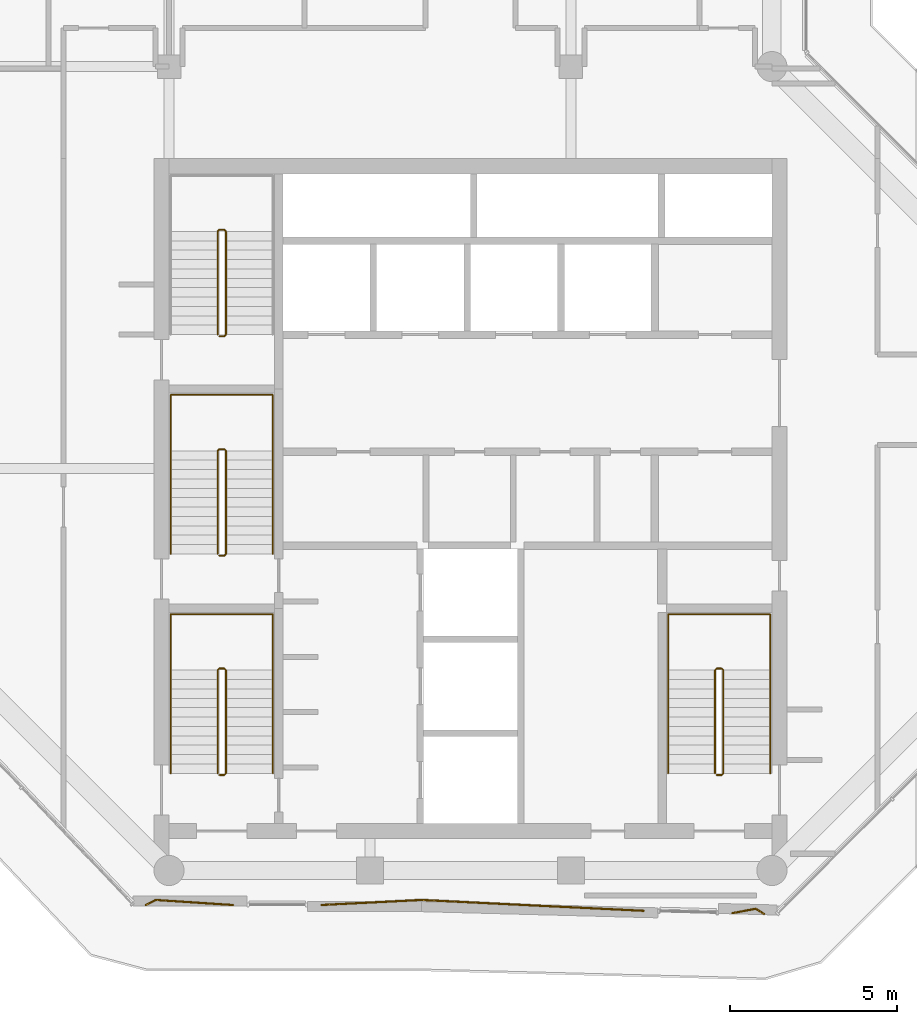
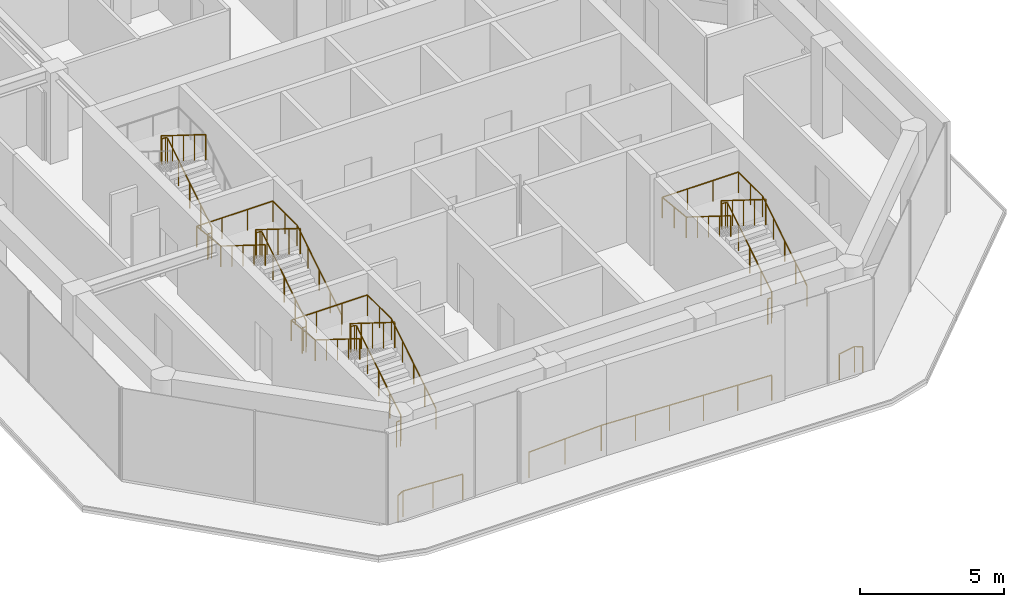
# One storey, part 18 of 19: 10 railings.
"""IFC4 building model written with IfcOpenShell, lengths in metres."""

from ifc_helpers import new_model, si_unit, direction, frame, origin, origin_2d, place, context, subcontext, project, spatial, circle, extrude, material, type_object, element, save


model = new_model("IFC4")

# Units and contexts
model_context = context("Model", 3, precision=1e-05, world=origin(), true_north=direction((0.0, 1.0)))
body_context = subcontext(model_context, "Body", "Model", "MODEL_VIEW")
ifc_project = project(units=[si_unit("LENGTHUNIT", "METRE"), si_unit("AREAUNIT", "SQUARE_METRE"), si_unit("VOLUMEUNIT", "CUBIC_METRE"), si_unit("PLANEANGLEUNIT", "RADIAN"), si_unit("MASSUNIT", "GRAM", prefix="KILO")], contexts=[model_context])

# Site, building, storey
site_placement = place(None, origin())
site = spatial("IfcSite", under=ifc_project, at=site_placement, CompositionType="ELEMENT")
building_placement = place(site_placement, origin())
building = spatial("IfcBuilding", under=site, at=building_placement, Name="Welwitschia Terrace Campus", CompositionType="ELEMENT")
storey_placement = place(building_placement, frame((0.0, 0.0, 234.800048828125)))
storey = spatial("IfcBuildingStorey", under=building, at=storey_placement, Name="L52", CompositionType="ELEMENT", Elevation=234.800048828125)

# Railings
ifc_material_1 = material(Name="Stainless steel grade 316", Category="steel")
railing_type_1 = type_object("IfcRailingType", Name="Guard 1100", PredefinedType="GUARDRAIL", material=ifc_material_1)
railing_1_placement = place(storey_placement, frame((7.904541015625, 2.969970703125, 0.0)))
element("IfcRailing", 1, at=railing_1_placement, inside=storey, type_object=railing_type_1, Name="Guard floor edge L52.1", PredefinedType="GUARDRAIL", context=body_context, shape_type="SweptSolid", body=[
    extrude(circle(Radius=0.02392578125, at=origin_2d()), frame((0.0, 0.0, 1.076171875), z_axis=(-0.997881897541, 0.065051660694, 0.0), x_axis=(-0.065051660694, -0.997881897541, 0.0)), (0.0, 0.0, 1.0), 2.30810546875),
    extrude(circle(Radius=0.02392578125, at=origin_2d()), frame((-2.30322265625, 0.150146484375, 1.076171875), z_axis=(-0.889778828662, -0.456391976336, 0.0), x_axis=(0.456391976336, -0.889778828662, 0.0)), (0.0, 0.0, 1.0), 0.3291015625),
    extrude(circle(Radius=0.02099609375, at=origin_2d()), origin(), (0.0, 0.0, 1.0), 1.052001953125),
    extrude(circle(Radius=0.02099609375, at=origin_2d()), frame((-1.151611328125, 0.0751953125, 0.0)), (0.0, 0.0, 1.0), 1.052001953125),
    extrude(circle(Radius=0.02099609375, at=origin_2d()), frame((-2.30322265625, 0.150146484375, 0.0)), (0.0, 0.0, 1.0), 1.052001953125),
    extrude(circle(Radius=0.02099609375, at=origin_2d()), frame((-2.595947265625, 0.0, 0.0)), (0.0, 0.0, 1.0), 1.052001953125),
])
railing_2_placement = place(storey_placement, frame((20.172119140625, 2.796142578125, 0.0)))
element("IfcRailing", 2, at=railing_2_placement, inside=storey, type_object=railing_type_1, Name="Guard floor edge L52.3", PredefinedType="GUARDRAIL", context=body_context, shape_type="SweptSolid", body=[
    extrude(circle(Radius=0.02392578125, at=origin_2d()), frame((0.0, 0.0, 1.076171875), z_axis=(-0.998809863154, 0.048773530392, 0.0), x_axis=(-0.048773530392, -0.998809863154, 0.0)), (0.0, 0.0, 1.0), 6.642333984375),
    extrude(circle(Radius=0.02392578125, at=origin_2d()), frame((-6.634521484375, 0.323974609375, 1.076171875), z_axis=(-0.998737836798, -0.050226819007, 0.0), x_axis=(0.050226819007, -0.998737836798, 0.0)), (0.0, 0.0, 1.0), 2.9892578125),
    extrude(circle(Radius=0.02099609375, at=origin_2d()), origin(), (0.0, 0.0, 1.0), 1.052001953125),
    extrude(circle(Radius=0.02099609375, at=origin_2d()), frame((-1.326904296875, 0.064697265625, 0.0)), (0.0, 0.0, 1.0), 1.052001953125),
    extrude(circle(Radius=0.02099609375, at=origin_2d()), frame((-2.65380859375, 0.129638671875, 0.0)), (0.0, 0.0, 1.0), 1.052001953125),
    extrude(circle(Radius=0.02099609375, at=origin_2d()), frame((-3.980712890625, 0.1943359375, 0.0)), (0.0, 0.0, 1.0), 1.052001953125),
    extrude(circle(Radius=0.02099609375, at=origin_2d()), frame((-5.3076171875, 0.25927734375, 0.0)), (0.0, 0.0, 1.0), 1.052001953125),
    extrude(circle(Radius=0.02099609375, at=origin_2d()), frame((-6.634521484375, 0.323974609375, 0.0)), (0.0, 0.0, 1.0), 1.052001953125),
    extrude(circle(Radius=0.02099609375, at=origin_2d()), frame((-8.12744140625, 0.2490234375, 0.0)), (0.0, 0.0, 1.0), 1.052001953125),
    extrude(circle(Radius=0.02099609375, at=origin_2d()), frame((-9.6201171875, 0.173828125, 0.0)), (0.0, 0.0, 1.0), 1.052001953125),
])
railing_3_placement = place(storey_placement, frame((23.7626953125, 2.7021484375, 0.0)))
element("IfcRailing", 3, at=railing_3_placement, inside=storey, type_object=railing_type_1, Name="Guard floor edge L52.5", PredefinedType="GUARDRAIL", context=body_context, shape_type="SweptSolid", body=[
    extrude(circle(Radius=0.02392578125, at=origin_2d()), frame((0.0, 0.0, 1.076171875), z_axis=(-0.839661073716, 0.543110744956, 0.0), x_axis=(-0.543110744956, -0.839661073716, 0.0)), (0.0, 0.0, 1.0), 0.2880859375),
    extrude(circle(Radius=0.02392578125, at=origin_2d()), frame((-0.241943359375, 0.156494140625, 1.076171875), z_axis=(-0.982825731566, -0.184536124842, 0.0), x_axis=(0.184536124842, -0.982825731566, 0.0)), (0.0, 0.0, 1.0), 0.71435546875),
    extrude(circle(Radius=0.02099609375, at=origin_2d()), origin(), (0.0, 0.0, 1.0), 1.052001953125),
    extrude(circle(Radius=0.02099609375, at=origin_2d()), frame((-0.241943359375, 0.156494140625, 0.0)), (0.0, 0.0, 1.0), 1.052001953125),
    extrude(circle(Radius=0.02099609375, at=origin_2d()), frame((-0.944091796875, 0.024658203125, 0.0)), (0.0, 0.0, 1.0), 1.052001953125),
])
ifc_material_2 = material(Name="Steel S355", Category="steel")
railing_type_2 = type_object("IfcRailingType", Name="Stair guard 1100", PredefinedType="GUARDRAIL", material=ifc_material_2)
railing_4_placement = place(storey_placement, frame((7.5, 6.85009765625, 0.0)))
element("IfcRailing", 4, at=railing_4_placement, inside=storey, type_object=railing_type_2, Name="L52 S1 stair guard", PredefinedType="GUARDRAIL", context=body_context, shape_type="SweptSolid", body=[
    extrude(circle(Radius=0.02392578125, at=origin_2d()), frame((0.0, 0.0, 1.076171875), z_axis=(1.0, 0.0, 0.0), x_axis=(0.0, 1.0, 0.0)), (0.0, 0.0, 1.0), 0.14990234375),
    extrude(circle(Radius=0.02392578125, at=origin_2d()), frame((0.14990234375, 0.0, 1.076171875), z_axis=(0.265155923931, 0.263862480399, 0.927399011991), x_axis=(-0.705375805398, 0.708833529934, 0.0)), (0.0, 0.0, 1.0), 0.188720703125),
    extrude(circle(Radius=0.02392578125, at=origin_2d()), frame((0.199951171875, 0.0498046875, 1.2509765625), z_axis=(0.0, 0.848028513186, 0.529950602248), x_axis=(-1.0, 0.0, 0.0)), (0.0, 0.0, 1.0), 3.632080078125),
    extrude(circle(Radius=0.02392578125, at=origin_2d()), frame((0.199951171875, 3.1298828125, 3.17578125), z_axis=(-0.707106781187, 0.707106781187, 0.0), x_axis=(-0.707106781187, -0.707106781187, 0.0)), (0.0, 0.0, 1.0), 0.07080078125),
    extrude(circle(Radius=0.02392578125, at=origin_2d()), frame((0.14990234375, 3.179931640625, 3.17578125), z_axis=(-1.0, 0.0, 0.0), x_axis=(0.0, -1.0, 0.0)), (0.0, 0.0, 1.0), 0.14990234375),
    extrude(circle(Radius=0.02392578125, at=origin_2d()), frame((0.0, 3.179931640625, 3.17578125), z_axis=(-0.265065253269, -0.265065253269, 0.927081885822), x_axis=(0.707106781187, -0.707106781187, 0.0)), (0.0, 0.0, 1.0), 0.188720703125),
    extrude(circle(Radius=0.02392578125, at=origin_2d()), frame((-0.050048828125, 3.1298828125, 3.35107421875), z_axis=(0.0, -0.847998304005, 0.529998940003), x_axis=(1.0, 0.0, 0.0)), (0.0, 0.0, 1.0), 3.632080078125),
    extrude(circle(Radius=0.02099609375, at=origin_2d()), origin(), (0.0, 0.0, 1.0), 1.052001953125),
    extrude(circle(Radius=0.02099609375, at=origin_2d()), frame((0.14990234375, 0.0, 0.0)), (0.0, 0.0, 1.0), 1.052001953125),
    extrude(circle(Radius=0.02099609375, at=origin_2d()), frame((0.199951171875, 0.0498046875, 0.175048828125)), (0.0, 0.0, 1.0), 1.052001953125),
    extrude(circle(Radius=0.02099609375, at=origin_2d()), frame((0.199951171875, 0.81982421875, 0.65625)), (0.0, 0.0, 1.0), 1.052001953125),
    extrude(circle(Radius=0.02099609375, at=origin_2d()), frame((0.199951171875, 1.58984375, 1.137451171875)), (0.0, 0.0, 1.0), 1.052001953125),
    extrude(circle(Radius=0.02099609375, at=origin_2d()), frame((0.199951171875, 2.35986328125, 1.61865234375)), (0.0, 0.0, 1.0), 1.052001953125),
    extrude(circle(Radius=0.02099609375, at=origin_2d()), frame((0.199951171875, 3.1298828125, 2.099853515625)), (0.0, 0.0, 1.0), 1.052001953125),
    extrude(circle(Radius=0.02099609375, at=origin_2d()), frame((0.14990234375, 3.179931640625, 2.099853515625)), (0.0, 0.0, 1.0), 1.052001953125),
    extrude(circle(Radius=0.02099609375, at=origin_2d()), frame((0.0, 3.179931640625, 2.099853515625)), (0.0, 0.0, 1.0), 1.052001953125),
    extrude(circle(Radius=0.02099609375, at=origin_2d()), frame((-0.050048828125, 3.1298828125, 2.27490234375)), (0.0, 0.0, 1.0), 1.052001953125),
    extrude(circle(Radius=0.02099609375, at=origin_2d()), frame((-0.050048828125, 2.35986328125, 2.756103515625)), (0.0, 0.0, 1.0), 1.052001953125),
    extrude(circle(Radius=0.02099609375, at=origin_2d()), frame((-0.050048828125, 1.58984375, 3.2373046875)), (0.0, 0.0, 1.0), 1.052001953125),
    extrude(circle(Radius=0.02099609375, at=origin_2d()), frame((-0.050048828125, 0.81982421875, 3.71875)), (0.0, 0.0, 1.0), 1.052001953125),
    extrude(circle(Radius=0.02099609375, at=origin_2d()), frame((-0.050048828125, 0.0498046875, 4.199951171875)), (0.0, 0.0, 1.0), 1.052001953125),
])
railing_5_placement = place(storey_placement, frame((7.5, 13.39990234375, 0.0)))
element("IfcRailing", 5, at=railing_5_placement, inside=storey, type_object=railing_type_2, Name="L52 S3 stair guard", PredefinedType="GUARDRAIL", context=body_context, shape_type="SweptSolid", body=[
    extrude(circle(Radius=0.02392578125, at=origin_2d()), frame((0.0, 0.0, 1.076171875), z_axis=(1.0, 0.0, 0.0), x_axis=(0.0, 1.0, 0.0)), (0.0, 0.0, 1.0), 0.14990234375),
    extrude(circle(Radius=0.02392578125, at=origin_2d()), frame((0.14990234375, 0.0, 1.076171875), z_axis=(0.265065253269, 0.265065253269, 0.927081885822), x_axis=(-0.707106781187, 0.707106781187, 0.0)), (0.0, 0.0, 1.0), 0.188720703125),
    extrude(circle(Radius=0.02392578125, at=origin_2d()), frame((0.199951171875, 0.050048828125, 1.2509765625), z_axis=(0.0, 0.848028513186, 0.529950602248), x_axis=(-1.0, 0.0, 0.0)), (0.0, 0.0, 1.0), 3.632080078125),
    extrude(circle(Radius=0.02392578125, at=origin_2d()), frame((0.199951171875, 3.130126953125, 3.17578125), z_axis=(-0.707106781187, 0.707106781187, 0.0), x_axis=(-0.707106781187, -0.707106781187, 0.0)), (0.0, 0.0, 1.0), 0.07080078125),
    extrude(circle(Radius=0.02392578125, at=origin_2d()), frame((0.14990234375, 3.18017578125, 3.17578125), z_axis=(-1.0, 0.0, 0.0), x_axis=(0.0, -1.0, 0.0)), (0.0, 0.0, 1.0), 0.14990234375),
    extrude(circle(Radius=0.02392578125, at=origin_2d()), frame((0.0, 3.18017578125, 3.17578125), z_axis=(-0.265065253269, -0.265065253269, 0.927081885822), x_axis=(0.707106781187, -0.707106781187, 0.0)), (0.0, 0.0, 1.0), 0.188720703125),
    extrude(circle(Radius=0.02392578125, at=origin_2d()), frame((-0.050048828125, 3.130126953125, 3.35107421875), z_axis=(0.0, -0.847998304005, 0.529998940003), x_axis=(1.0, 0.0, 0.0)), (0.0, 0.0, 1.0), 3.632080078125),
    extrude(circle(Radius=0.02099609375, at=origin_2d()), origin(), (0.0, 0.0, 1.0), 1.052001953125),
    extrude(circle(Radius=0.02099609375, at=origin_2d()), frame((0.14990234375, 0.0, 0.0)), (0.0, 0.0, 1.0), 1.052001953125),
    extrude(circle(Radius=0.02099609375, at=origin_2d()), frame((0.199951171875, 0.050048828125, 0.175048828125)), (0.0, 0.0, 1.0), 1.052001953125),
    extrude(circle(Radius=0.02099609375, at=origin_2d()), frame((0.199951171875, 0.820068359375, 0.65625)), (0.0, 0.0, 1.0), 1.052001953125),
    extrude(circle(Radius=0.02099609375, at=origin_2d()), frame((0.199951171875, 1.590087890625, 1.137451171875)), (0.0, 0.0, 1.0), 1.052001953125),
    extrude(circle(Radius=0.02099609375, at=origin_2d()), frame((0.199951171875, 2.360107421875, 1.61865234375)), (0.0, 0.0, 1.0), 1.052001953125),
    extrude(circle(Radius=0.02099609375, at=origin_2d()), frame((0.199951171875, 3.130126953125, 2.099853515625)), (0.0, 0.0, 1.0), 1.052001953125),
    extrude(circle(Radius=0.02099609375, at=origin_2d()), frame((0.14990234375, 3.18017578125, 2.099853515625)), (0.0, 0.0, 1.0), 1.052001953125),
    extrude(circle(Radius=0.02099609375, at=origin_2d()), frame((0.0, 3.18017578125, 2.099853515625)), (0.0, 0.0, 1.0), 1.052001953125),
    extrude(circle(Radius=0.02099609375, at=origin_2d()), frame((-0.050048828125, 3.130126953125, 2.27490234375)), (0.0, 0.0, 1.0), 1.052001953125),
    extrude(circle(Radius=0.02099609375, at=origin_2d()), frame((-0.050048828125, 2.360107421875, 2.756103515625)), (0.0, 0.0, 1.0), 1.052001953125),
    extrude(circle(Radius=0.02099609375, at=origin_2d()), frame((-0.050048828125, 1.590087890625, 3.2373046875)), (0.0, 0.0, 1.0), 1.052001953125),
    extrude(circle(Radius=0.02099609375, at=origin_2d()), frame((-0.050048828125, 0.820068359375, 3.71875)), (0.0, 0.0, 1.0), 1.052001953125),
    extrude(circle(Radius=0.02099609375, at=origin_2d()), frame((-0.050048828125, 0.050048828125, 4.199951171875)), (0.0, 0.0, 1.0), 1.052001953125),
])
railing_6_placement = place(storey_placement, frame((7.5, 19.949951171875, 0.0)))
element("IfcRailing", 6, at=railing_6_placement, inside=storey, type_object=railing_type_2, Name="L52 S4 stair guard", PredefinedType="GUARDRAIL", context=body_context, shape_type="SweptSolid", body=[
    extrude(circle(Radius=0.02392578125, at=origin_2d()), frame((0.0, 0.0, 1.076171875), z_axis=(1.0, 0.0, 0.0), x_axis=(0.0, 1.0, 0.0)), (0.0, 0.0, 1.0), 0.14990234375),
    extrude(circle(Radius=0.02392578125, at=origin_2d()), frame((0.14990234375, 0.0, 1.076171875), z_axis=(0.265065253269, 0.265065253269, 0.927081885822), x_axis=(-0.707106781187, 0.707106781187, 0.0)), (0.0, 0.0, 1.0), 0.188720703125),
    extrude(circle(Radius=0.02392578125, at=origin_2d()), frame((0.199951171875, 0.050048828125, 1.2509765625), z_axis=(0.0, 0.848028513186, 0.529950602248), x_axis=(-1.0, 0.0, 0.0)), (0.0, 0.0, 1.0), 3.632080078125),
    extrude(circle(Radius=0.02392578125, at=origin_2d()), frame((0.199951171875, 3.130126953125, 3.17578125), z_axis=(-0.708833529934, 0.705375805398, 0.0), x_axis=(-0.705375805398, -0.708833529934, 0.0)), (0.0, 0.0, 1.0), 0.070556640625),
    extrude(circle(Radius=0.02392578125, at=origin_2d()), frame((0.14990234375, 3.179931640625, 3.17578125), z_axis=(-1.0, 0.0, 0.0), x_axis=(0.0, -1.0, 0.0)), (0.0, 0.0, 1.0), 0.14990234375),
    extrude(circle(Radius=0.02392578125, at=origin_2d()), frame((0.0, 3.179931640625, 3.17578125), z_axis=(-0.265155923931, -0.263862480399, 0.927399011991), x_axis=(0.705375805398, -0.708833529934, 0.0)), (0.0, 0.0, 1.0), 0.188720703125),
    extrude(circle(Radius=0.02392578125, at=origin_2d()), frame((-0.050048828125, 3.130126953125, 3.35107421875), z_axis=(0.0, -0.847998304005, 0.529998940003), x_axis=(1.0, 0.0, 0.0)), (0.0, 0.0, 1.0), 3.632080078125),
    extrude(circle(Radius=0.02099609375, at=origin_2d()), origin(), (0.0, 0.0, 1.0), 1.052001953125),
    extrude(circle(Radius=0.02099609375, at=origin_2d()), frame((0.14990234375, 0.0, 0.0)), (0.0, 0.0, 1.0), 1.052001953125),
    extrude(circle(Radius=0.02099609375, at=origin_2d()), frame((0.199951171875, 0.050048828125, 0.175048828125)), (0.0, 0.0, 1.0), 1.052001953125),
    extrude(circle(Radius=0.02099609375, at=origin_2d()), frame((0.199951171875, 0.820068359375, 0.65625)), (0.0, 0.0, 1.0), 1.052001953125),
    extrude(circle(Radius=0.02099609375, at=origin_2d()), frame((0.199951171875, 1.590087890625, 1.137451171875)), (0.0, 0.0, 1.0), 1.052001953125),
    extrude(circle(Radius=0.02099609375, at=origin_2d()), frame((0.199951171875, 2.360107421875, 1.61865234375)), (0.0, 0.0, 1.0), 1.052001953125),
    extrude(circle(Radius=0.02099609375, at=origin_2d()), frame((0.199951171875, 3.130126953125, 2.099853515625)), (0.0, 0.0, 1.0), 1.052001953125),
    extrude(circle(Radius=0.02099609375, at=origin_2d()), frame((0.14990234375, 3.179931640625, 2.099853515625)), (0.0, 0.0, 1.0), 1.052001953125),
    extrude(circle(Radius=0.02099609375, at=origin_2d()), frame((0.0, 3.179931640625, 2.099853515625)), (0.0, 0.0, 1.0), 1.052001953125),
    extrude(circle(Radius=0.02099609375, at=origin_2d()), frame((-0.050048828125, 3.130126953125, 2.27490234375)), (0.0, 0.0, 1.0), 1.052001953125),
    extrude(circle(Radius=0.02099609375, at=origin_2d()), frame((-0.050048828125, 2.360107421875, 2.756103515625)), (0.0, 0.0, 1.0), 1.052001953125),
    extrude(circle(Radius=0.02099609375, at=origin_2d()), frame((-0.050048828125, 1.590087890625, 3.2373046875)), (0.0, 0.0, 1.0), 1.052001953125),
    extrude(circle(Radius=0.02099609375, at=origin_2d()), frame((-0.050048828125, 0.820068359375, 3.71875)), (0.0, 0.0, 1.0), 1.052001953125),
    extrude(circle(Radius=0.02099609375, at=origin_2d()), frame((-0.050048828125, 0.050048828125, 4.199951171875)), (0.0, 0.0, 1.0), 1.052001953125),
])
railing_7_placement = place(storey_placement, frame((22.35009765625, 6.85009765625, 0.0)))
element("IfcRailing", 7, at=railing_7_placement, inside=storey, type_object=railing_type_2, Name="L52 S2 stair guard", PredefinedType="GUARDRAIL", context=body_context, shape_type="SweptSolid", body=[
    extrude(circle(Radius=0.02392578125, at=origin_2d()), frame((0.0, 0.0, 1.076171875), z_axis=(1.0, 0.0, 0.0), x_axis=(0.0, 1.0, 0.0)), (0.0, 0.0, 1.0), 0.14990234375),
    extrude(circle(Radius=0.02392578125, at=origin_2d()), frame((0.14990234375, 0.0, 1.076171875), z_axis=(0.265155923931, 0.263862480399, 0.927399011991), x_axis=(-0.705375805398, 0.708833529934, 0.0)), (0.0, 0.0, 1.0), 0.188720703125),
    extrude(circle(Radius=0.02392578125, at=origin_2d()), frame((0.199951171875, 0.0498046875, 1.2509765625), z_axis=(0.0, 0.848028513186, 0.529950602248), x_axis=(-1.0, 0.0, 0.0)), (0.0, 0.0, 1.0), 3.632080078125),
    extrude(circle(Radius=0.02392578125, at=origin_2d()), frame((0.199951171875, 3.1298828125, 3.17578125), z_axis=(-0.707106781187, 0.707106781187, 0.0), x_axis=(-0.707106781187, -0.707106781187, 0.0)), (0.0, 0.0, 1.0), 0.07080078125),
    extrude(circle(Radius=0.02392578125, at=origin_2d()), frame((0.14990234375, 3.179931640625, 3.17578125), z_axis=(-1.0, 0.0, 0.0), x_axis=(0.0, -1.0, 0.0)), (0.0, 0.0, 1.0), 0.14990234375),
    extrude(circle(Radius=0.02392578125, at=origin_2d()), frame((0.0, 3.179931640625, 3.17578125), z_axis=(-0.265065253269, -0.265065253269, 0.927081885822), x_axis=(0.707106781187, -0.707106781187, 0.0)), (0.0, 0.0, 1.0), 0.188720703125),
    extrude(circle(Radius=0.02392578125, at=origin_2d()), frame((-0.050048828125, 3.1298828125, 3.35107421875), z_axis=(0.0, -0.847998304005, 0.529998940003), x_axis=(1.0, 0.0, 0.0)), (0.0, 0.0, 1.0), 3.632080078125),
    extrude(circle(Radius=0.02099609375, at=origin_2d()), origin(), (0.0, 0.0, 1.0), 1.052001953125),
    extrude(circle(Radius=0.02099609375, at=origin_2d()), frame((0.14990234375, 0.0, 0.0)), (0.0, 0.0, 1.0), 1.052001953125),
    extrude(circle(Radius=0.02099609375, at=origin_2d()), frame((0.199951171875, 0.0498046875, 0.175048828125)), (0.0, 0.0, 1.0), 1.052001953125),
    extrude(circle(Radius=0.02099609375, at=origin_2d()), frame((0.199951171875, 0.81982421875, 0.65625)), (0.0, 0.0, 1.0), 1.052001953125),
    extrude(circle(Radius=0.02099609375, at=origin_2d()), frame((0.199951171875, 1.58984375, 1.137451171875)), (0.0, 0.0, 1.0), 1.052001953125),
    extrude(circle(Radius=0.02099609375, at=origin_2d()), frame((0.199951171875, 2.35986328125, 1.61865234375)), (0.0, 0.0, 1.0), 1.052001953125),
    extrude(circle(Radius=0.02099609375, at=origin_2d()), frame((0.199951171875, 3.1298828125, 2.099853515625)), (0.0, 0.0, 1.0), 1.052001953125),
    extrude(circle(Radius=0.02099609375, at=origin_2d()), frame((0.14990234375, 3.179931640625, 2.099853515625)), (0.0, 0.0, 1.0), 1.052001953125),
    extrude(circle(Radius=0.02099609375, at=origin_2d()), frame((0.0, 3.179931640625, 2.099853515625)), (0.0, 0.0, 1.0), 1.052001953125),
    extrude(circle(Radius=0.02099609375, at=origin_2d()), frame((-0.050048828125, 3.1298828125, 2.27490234375)), (0.0, 0.0, 1.0), 1.052001953125),
    extrude(circle(Radius=0.02099609375, at=origin_2d()), frame((-0.050048828125, 2.35986328125, 2.756103515625)), (0.0, 0.0, 1.0), 1.052001953125),
    extrude(circle(Radius=0.02099609375, at=origin_2d()), frame((-0.050048828125, 1.58984375, 3.2373046875)), (0.0, 0.0, 1.0), 1.052001953125),
    extrude(circle(Radius=0.02099609375, at=origin_2d()), frame((-0.050048828125, 0.81982421875, 3.71875)), (0.0, 0.0, 1.0), 1.052001953125),
    extrude(circle(Radius=0.02099609375, at=origin_2d()), frame((-0.050048828125, 0.0498046875, 4.199951171875)), (0.0, 0.0, 1.0), 1.052001953125),
])
ifc_material_3 = material(Name="Steel S355", Category="steel")
railing_type_3 = type_object("IfcRailingType", Name="Stair handrail 900", PredefinedType="HANDRAIL", material=ifc_material_3)
railing_8_placement = place(storey_placement, frame((9.10009765625, 6.89990234375, 0.175048828125)))
element("IfcRailing", 8, at=railing_8_placement, inside=storey, type_object=railing_type_3, Name="L52 S1 stair handrail", PredefinedType="HANDRAIL", context=body_context, shape_type="SweptSolid", body=[
    extrude(circle(Radius=0.02392578125, at=origin_2d()), frame((0.0, 0.0, 0.8759765625), z_axis=(0.0, 0.848028513186, 0.529950602248), x_axis=(-1.0, 0.0, 0.0)), (0.0, 0.0, 1.0), 3.632080078125),
    extrude(circle(Radius=0.02392578125, at=origin_2d()), frame((0.0, 3.080078125, 2.80078125), z_axis=(0.0, 1.0, 0.0), x_axis=(-1.0, 0.0, 0.0)), (0.0, 0.0, 1.0), 1.669921875),
    extrude(circle(Radius=0.02392578125, at=origin_2d()), frame((0.0, 4.75, 2.80078125), z_axis=(-1.0, 0.0, 0.0), x_axis=(0.0, -1.0, 0.0)), (0.0, 0.0, 1.0), 3.050048828125),
    extrude(circle(Radius=0.02392578125, at=origin_2d()), frame((-3.050048828125, 4.75, 2.80078125), z_axis=(0.0, -0.99455077262, 0.104253348533), x_axis=(1.0, 0.0, 0.0)), (0.0, 0.0, 1.0), 1.678955078125),
    extrude(circle(Radius=0.02392578125, at=origin_2d()), frame((-3.050048828125, 3.080078125, 2.9755859375), z_axis=(0.0, -0.847998304005, 0.529998940003), x_axis=(1.0, 0.0, 0.0)), (0.0, 0.0, 1.0), 3.632080078125),
    extrude(circle(Radius=0.02099609375, at=origin_2d()), origin(), (0.0, 0.0, 1.0), 0.851806640625),
    extrude(circle(Radius=0.02099609375, at=origin_2d()), frame((0.0, 0.77001953125, 0.481201171875)), (0.0, 0.0, 1.0), 0.851806640625),
    extrude(circle(Radius=0.02099609375, at=origin_2d()), frame((0.0, 1.5400390625, 0.96240234375)), (0.0, 0.0, 1.0), 0.851806640625),
    extrude(circle(Radius=0.02099609375, at=origin_2d()), frame((0.0, 2.31005859375, 1.443603515625)), (0.0, 0.0, 1.0), 0.851806640625),
    extrude(circle(Radius=0.02099609375, at=origin_2d()), frame((0.0, 3.080078125, 1.9248046875)), (0.0, 0.0, 1.0), 0.851806640625),
    extrude(circle(Radius=0.02099609375, at=origin_2d()), frame((0.0, 3.9150390625, 1.9248046875)), (0.0, 0.0, 1.0), 0.851806640625),
    extrude(circle(Radius=0.02099609375, at=origin_2d()), frame((0.0, 4.75, 1.9248046875)), (0.0, 0.0, 1.0), 0.851806640625),
    extrude(circle(Radius=0.02099609375, at=origin_2d()), frame((-1.0166015625, 4.75, 1.9248046875)), (0.0, 0.0, 1.0), 0.851806640625),
    extrude(circle(Radius=0.02099609375, at=origin_2d()), frame((-2.033447265625, 4.75, 1.9248046875)), (0.0, 0.0, 1.0), 0.851806640625),
    extrude(circle(Radius=0.02099609375, at=origin_2d()), frame((-3.050048828125, 4.75, 1.9248046875)), (0.0, 0.0, 1.0), 0.851806640625),
    extrude(circle(Radius=0.02099609375, at=origin_2d()), frame((-3.050048828125, 3.9150390625, 2.01220703125)), (0.0, 0.0, 1.0), 0.851806640625),
    extrude(circle(Radius=0.02099609375, at=origin_2d()), frame((-3.050048828125, 3.080078125, 2.099853515625)), (0.0, 0.0, 1.0), 0.851806640625),
    extrude(circle(Radius=0.02099609375, at=origin_2d()), frame((-3.050048828125, 2.31005859375, 2.5810546875)), (0.0, 0.0, 1.0), 0.851806640625),
    extrude(circle(Radius=0.02099609375, at=origin_2d()), frame((-3.050048828125, 1.5400390625, 3.0625)), (0.0, 0.0, 1.0), 0.851806640625),
    extrude(circle(Radius=0.02099609375, at=origin_2d()), frame((-3.050048828125, 0.77001953125, 3.543701171875)), (0.0, 0.0, 1.0), 0.851806640625),
    extrude(circle(Radius=0.02099609375, at=origin_2d()), frame((-3.050048828125, 0.0, 4.02490234375)), (0.0, 0.0, 1.0), 0.851806640625),
])
railing_9_placement = place(storey_placement, frame((9.10009765625, 13.449951171875, 0.175048828125)))
element("IfcRailing", 9, at=railing_9_placement, inside=storey, type_object=railing_type_3, Name="L52 S3 stair handrail", PredefinedType="HANDRAIL", context=body_context, shape_type="SweptSolid", body=[
    extrude(circle(Radius=0.02392578125, at=origin_2d()), frame((0.0, 0.0, 0.8759765625), z_axis=(0.0, 0.848028513186, 0.529950602248), x_axis=(-1.0, 0.0, 0.0)), (0.0, 0.0, 1.0), 3.632080078125),
    extrude(circle(Radius=0.02392578125, at=origin_2d()), frame((0.0, 3.080078125, 2.80078125), z_axis=(0.0, 1.0, 0.0), x_axis=(-1.0, 0.0, 0.0)), (0.0, 0.0, 1.0), 1.669921875),
    extrude(circle(Radius=0.02392578125, at=origin_2d()), frame((0.0, 4.75, 2.80078125), z_axis=(-1.0, 0.0, 0.0), x_axis=(0.0, -1.0, 0.0)), (0.0, 0.0, 1.0), 3.050048828125),
    extrude(circle(Radius=0.02392578125, at=origin_2d()), frame((-3.050048828125, 4.75, 2.80078125), z_axis=(0.0, -0.99455077262, 0.104253348533), x_axis=(1.0, 0.0, 0.0)), (0.0, 0.0, 1.0), 1.678955078125),
    extrude(circle(Radius=0.02392578125, at=origin_2d()), frame((-3.050048828125, 3.080078125, 2.9755859375), z_axis=(0.0, -0.847998304005, 0.529998940003), x_axis=(1.0, 0.0, 0.0)), (0.0, 0.0, 1.0), 3.632080078125),
    extrude(circle(Radius=0.02099609375, at=origin_2d()), origin(), (0.0, 0.0, 1.0), 0.851806640625),
    extrude(circle(Radius=0.02099609375, at=origin_2d()), frame((0.0, 0.77001953125, 0.481201171875)), (0.0, 0.0, 1.0), 0.851806640625),
    extrude(circle(Radius=0.02099609375, at=origin_2d()), frame((0.0, 1.5400390625, 0.96240234375)), (0.0, 0.0, 1.0), 0.851806640625),
    extrude(circle(Radius=0.02099609375, at=origin_2d()), frame((0.0, 2.31005859375, 1.443603515625)), (0.0, 0.0, 1.0), 0.851806640625),
    extrude(circle(Radius=0.02099609375, at=origin_2d()), frame((0.0, 3.080078125, 1.9248046875)), (0.0, 0.0, 1.0), 0.851806640625),
    extrude(circle(Radius=0.02099609375, at=origin_2d()), frame((0.0, 3.9150390625, 1.9248046875)), (0.0, 0.0, 1.0), 0.851806640625),
    extrude(circle(Radius=0.02099609375, at=origin_2d()), frame((0.0, 4.75, 1.9248046875)), (0.0, 0.0, 1.0), 0.851806640625),
    extrude(circle(Radius=0.02099609375, at=origin_2d()), frame((-1.0166015625, 4.75, 1.9248046875)), (0.0, 0.0, 1.0), 0.851806640625),
    extrude(circle(Radius=0.02099609375, at=origin_2d()), frame((-2.033447265625, 4.75, 1.9248046875)), (0.0, 0.0, 1.0), 0.851806640625),
    extrude(circle(Radius=0.02099609375, at=origin_2d()), frame((-3.050048828125, 4.75, 1.9248046875)), (0.0, 0.0, 1.0), 0.851806640625),
    extrude(circle(Radius=0.02099609375, at=origin_2d()), frame((-3.050048828125, 3.9150390625, 2.01220703125)), (0.0, 0.0, 1.0), 0.851806640625),
    extrude(circle(Radius=0.02099609375, at=origin_2d()), frame((-3.050048828125, 3.080078125, 2.099853515625)), (0.0, 0.0, 1.0), 0.851806640625),
    extrude(circle(Radius=0.02099609375, at=origin_2d()), frame((-3.050048828125, 2.31005859375, 2.5810546875)), (0.0, 0.0, 1.0), 0.851806640625),
    extrude(circle(Radius=0.02099609375, at=origin_2d()), frame((-3.050048828125, 1.5400390625, 3.0625)), (0.0, 0.0, 1.0), 0.851806640625),
    extrude(circle(Radius=0.02099609375, at=origin_2d()), frame((-3.050048828125, 0.77001953125, 3.543701171875)), (0.0, 0.0, 1.0), 0.851806640625),
    extrude(circle(Radius=0.02099609375, at=origin_2d()), frame((-3.050048828125, 0.0, 4.02490234375)), (0.0, 0.0, 1.0), 0.851806640625),
])
railing_10_placement = place(storey_placement, frame((23.949951171875, 6.89990234375, 0.175048828125)))
element("IfcRailing", 10, at=railing_10_placement, inside=storey, type_object=railing_type_3, Name="L52 S2 stair handrail", PredefinedType="HANDRAIL", context=body_context, shape_type="SweptSolid", body=[
    extrude(circle(Radius=0.02392578125, at=origin_2d()), frame((0.0, 0.0, 0.8759765625), z_axis=(0.0, 0.848028513186, 0.529950602248), x_axis=(-1.0, 0.0, 0.0)), (0.0, 0.0, 1.0), 3.632080078125),
    extrude(circle(Radius=0.02392578125, at=origin_2d()), frame((0.0, 3.080078125, 2.80078125), z_axis=(0.0, 1.0, 0.0), x_axis=(-1.0, 0.0, 0.0)), (0.0, 0.0, 1.0), 1.669921875),
    extrude(circle(Radius=0.02392578125, at=origin_2d()), frame((0.0, 4.75, 2.80078125), z_axis=(-1.0, 0.0, 0.0), x_axis=(0.0, -1.0, 0.0)), (0.0, 0.0, 1.0), 3.050048828125),
    extrude(circle(Radius=0.02392578125, at=origin_2d()), frame((-3.050048828125, 4.75, 2.80078125), z_axis=(0.0, -0.99455077262, 0.104253348533), x_axis=(1.0, 0.0, 0.0)), (0.0, 0.0, 1.0), 1.678955078125),
    extrude(circle(Radius=0.02392578125, at=origin_2d()), frame((-3.050048828125, 3.080078125, 2.9755859375), z_axis=(0.0, -0.847998304005, 0.529998940003), x_axis=(1.0, 0.0, 0.0)), (0.0, 0.0, 1.0), 3.632080078125),
    extrude(circle(Radius=0.02099609375, at=origin_2d()), origin(), (0.0, 0.0, 1.0), 0.851806640625),
    extrude(circle(Radius=0.02099609375, at=origin_2d()), frame((0.0, 0.77001953125, 0.481201171875)), (0.0, 0.0, 1.0), 0.851806640625),
    extrude(circle(Radius=0.02099609375, at=origin_2d()), frame((0.0, 1.5400390625, 0.96240234375)), (0.0, 0.0, 1.0), 0.851806640625),
    extrude(circle(Radius=0.02099609375, at=origin_2d()), frame((0.0, 2.31005859375, 1.443603515625)), (0.0, 0.0, 1.0), 0.851806640625),
    extrude(circle(Radius=0.02099609375, at=origin_2d()), frame((0.0, 3.080078125, 1.9248046875)), (0.0, 0.0, 1.0), 0.851806640625),
    extrude(circle(Radius=0.02099609375, at=origin_2d()), frame((0.0, 3.9150390625, 1.9248046875)), (0.0, 0.0, 1.0), 0.851806640625),
    extrude(circle(Radius=0.02099609375, at=origin_2d()), frame((0.0, 4.75, 1.9248046875)), (0.0, 0.0, 1.0), 0.851806640625),
    extrude(circle(Radius=0.02099609375, at=origin_2d()), frame((-1.0166015625, 4.75, 1.9248046875)), (0.0, 0.0, 1.0), 0.851806640625),
    extrude(circle(Radius=0.02099609375, at=origin_2d()), frame((-2.033447265625, 4.75, 1.9248046875)), (0.0, 0.0, 1.0), 0.851806640625),
    extrude(circle(Radius=0.02099609375, at=origin_2d()), frame((-3.050048828125, 4.75, 1.9248046875)), (0.0, 0.0, 1.0), 0.851806640625),
    extrude(circle(Radius=0.02099609375, at=origin_2d()), frame((-3.050048828125, 3.9150390625, 2.01220703125)), (0.0, 0.0, 1.0), 0.851806640625),
    extrude(circle(Radius=0.02099609375, at=origin_2d()), frame((-3.050048828125, 3.080078125, 2.099853515625)), (0.0, 0.0, 1.0), 0.851806640625),
    extrude(circle(Radius=0.02099609375, at=origin_2d()), frame((-3.050048828125, 2.31005859375, 2.5810546875)), (0.0, 0.0, 1.0), 0.851806640625),
    extrude(circle(Radius=0.02099609375, at=origin_2d()), frame((-3.050048828125, 1.5400390625, 3.0625)), (0.0, 0.0, 1.0), 0.851806640625),
    extrude(circle(Radius=0.02099609375, at=origin_2d()), frame((-3.050048828125, 0.77001953125, 3.543701171875)), (0.0, 0.0, 1.0), 0.851806640625),
    extrude(circle(Radius=0.02099609375, at=origin_2d()), frame((-3.050048828125, 0.0, 4.02490234375)), (0.0, 0.0, 1.0), 0.851806640625),
])

save(model, "model.ifc")
